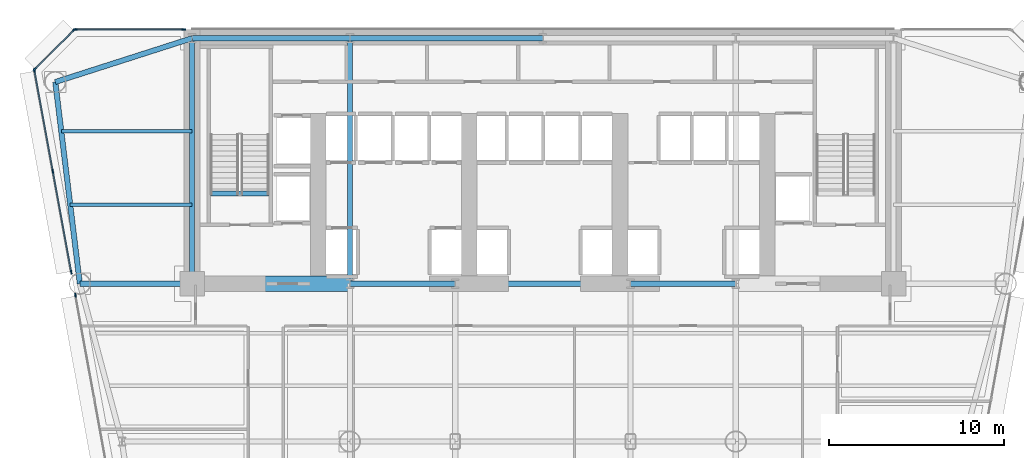
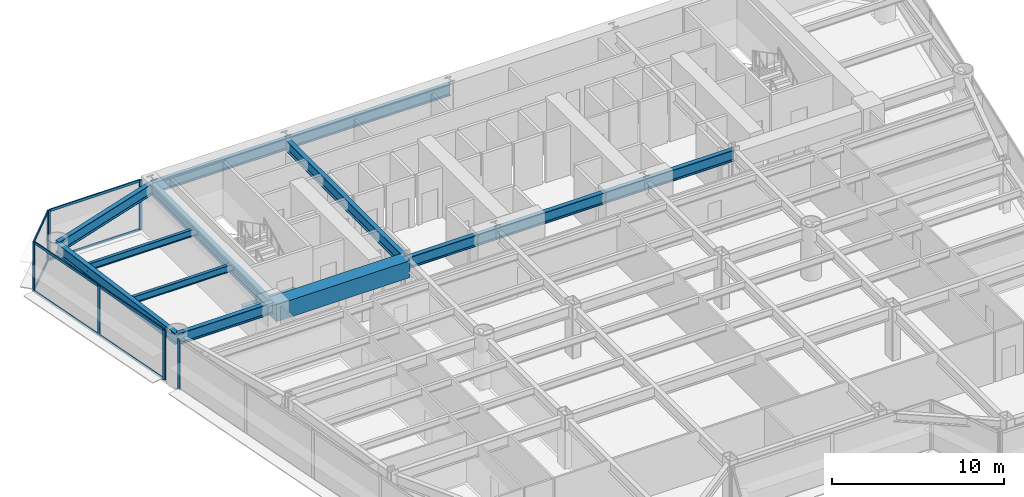
# One storey, part 5 of 14: 16 members, 14 beams, 4 elements without a shape of their own.
"""IFC4 building model written with IfcOpenShell, lengths in metres."""

from ifc_helpers import new_model, si_unit, direction, frame, origin, origin_2d, place, context, subcontext, project, spatial, rectangle, i_section, extrude, source, transform, mapped, material, layer, layer_set, material_profile, profile_set, type_object, element, aggregate, save


model = new_model("IFC4")

# Units and contexts
model_context = context("Model", 3, precision=1e-05, world=origin(), true_north=direction((0.0, 1.0)))
body_context = subcontext(model_context, "Body", "Model", "MODEL_VIEW")
ifc_project = project(units=[si_unit("LENGTHUNIT", "METRE"), si_unit("AREAUNIT", "SQUARE_METRE"), si_unit("VOLUMEUNIT", "CUBIC_METRE"), si_unit("PLANEANGLEUNIT", "RADIAN"), si_unit("MASSUNIT", "GRAM", prefix="KILO")], contexts=[model_context])

# Site, building, storey
site_placement = place(None, origin())
site = spatial("IfcSite", under=ifc_project, at=site_placement, CompositionType="ELEMENT")
building_placement = place(site_placement, origin())
building = spatial("IfcBuilding", under=site, at=building_placement, Name="Vaeldorn Concourse Tower", CompositionType="ELEMENT")
storey_placement = place(building_placement, frame((0.0, 0.0, 79.60009765625)))
storey = spatial("IfcBuildingStorey", under=building, at=storey_placement, Name="L20", CompositionType="ELEMENT", Elevation=79.60009765625)

# Beams
ifc_material_1 = material(Name="Concrete C60/75", Category="concrete")
ifc_material_profile_1 = material_profile(ifc_material_1, rectangle(XDim=0.89990234375, YDim=1.199951171875, at=origin_2d()), Name="RC 900x1200")
ifc_profile_set_1 = profile_set([ifc_material_profile_1], Name="Concrete C60/75")
beam_type_1 = type_object("IfcBeamType", Name="BM-CB-RC900", PredefinedType="BEAM", material=ifc_profile_set_1)
shared_shape_1 = source(origin(), body_context, "Body", "SweptSolid", [
    extrude(rectangle(XDim=0.89990234375, YDim=1.199951171875, at=origin_2d()), origin(), (0.0, 0.0, 1.0), 9.0),
])
beam_1_placement = place(storey_placement, frame((14.0, 36.5, 2.93994140625), z_axis=(1.0, 0.0, 0.0), x_axis=(0.0, 1.0, 0.0)))
element("IfcBeam", 1, at=beam_1_placement, inside=storey, type_object=beam_type_1, Name="Core Coupling Beam L20-1", PredefinedType="BEAM", context=body_context, shape_type="MappedRepresentation", body=[
    mapped(shared_shape_1, transform((0.0, 0.0, 0.0), scale=1.0)),
])
ifc_material_2 = material(Name="Steel S355", Category="steel")
ifc_material_profile_2 = material_profile(ifc_material_2, i_section(OverallWidth=0.300048828125, OverallDepth=0.340087890625, WebThickness=0.011962890625, FlangeThickness=0.021484375, FilletRadius=0.027099609375, at=origin_2d()), Name="HEB 340")
ifc_profile_set_2 = profile_set([ifc_material_profile_2], Name="Steel S355")
beam_type_2 = type_object("IfcBeamType", Name="BM-ST-TRIM", PredefinedType="BEAM", material=ifc_profile_set_2)
shared_shape_2 = source(origin(), body_context, "Body", "SweptSolid", [
    extrude(i_section(OverallWidth=0.300048828125, OverallDepth=0.340087890625, WebThickness=0.011962890625, FlangeThickness=0.021484375, FilletRadius=0.027099609375, at=origin_2d()), origin(), (0.0, 0.0, 1.0), 3.590087890625),
])
beam_2_placement = place(storey_placement, frame((14.929931640625, 41.639892578125, -0.39013671875), z_axis=(1.0, 0.0, 0.0), x_axis=(0.0, 1.0, 0.0)))
element("IfcBeam", 2, at=beam_2_placement, inside=storey, type_object=beam_type_2, Name="Stair Landing Trimmer Beam ST-1 L20", PredefinedType="BEAM", context=body_context, shape_type="MappedRepresentation", body=[
    mapped(shared_shape_2, transform((0.0, 0.0, 0.0), scale=1.0)),
])
ifc_material_profile_3 = material_profile(ifc_material_2, i_section(OverallWidth=0.300048828125, OverallDepth=0.800048828125, WebThickness=0.017578125, FlangeThickness=0.032958984375, FilletRadius=0.030029296875, at=origin_2d()), Name="HEB 800")
ifc_profile_set_3 = profile_set([ifc_material_profile_3], Name="Steel S355")
beam_type_3 = type_object("IfcBeamType", Name="BM-PG-HEB800", PredefinedType="BEAM", material=ifc_profile_set_3)
shared_shape_3 = source(origin(), body_context, "Body", "SweptSolid", [
    extrude(i_section(OverallWidth=0.300048828125, OverallDepth=0.800048828125, WebThickness=0.017578125, FlangeThickness=0.032958984375, FilletRadius=0.030029296875, at=origin_2d()), origin(), (0.0, 0.0, 1.0), 6.0),
])
for number, where, z_axis, x_axis, name in (
    (3, (23.0, 36.5, 3.139892578125), (1.0, 0.0, 0.0), (0.0, 1.0, 0.0), "Beam BM-L20-C-FC2-C-FC3"),
    (4, (39.0, 36.5, 3.139892578125), (1.0, 0.0, 0.0), (0.0, 1.0, 0.0), "Beam BM-L20-C-FC4-C-FC5"),
):
    element("IfcBeam", number, at=place(storey_placement, frame(where, z_axis=z_axis, x_axis=x_axis)), inside=storey, type_object=beam_type_3, Name=name, PredefinedType="BEAM", context=body_context, shape_type="MappedRepresentation", body=[
        mapped(shared_shape_3, transform((0.0, 0.0, 0.0), scale=1.0)),
    ])
shared_shape_4 = source(origin(), body_context, "Body", "SweptSolid", [
    extrude(i_section(OverallWidth=0.300048828125, OverallDepth=0.800048828125, WebThickness=0.017578125, FlangeThickness=0.032958984375, FilletRadius=0.030029296875, at=origin_2d()), origin(), (0.0, 0.0, 1.0), 10.0),
])
beam_3_placement = place(storey_placement, frame((29.0, 36.5, 3.139892578125), z_axis=(1.0, 0.0, 0.0), x_axis=(0.0, 1.0, 0.0)))
element("IfcBeam", 5, at=beam_3_placement, inside=storey, type_object=beam_type_3, Name="Beam BM-L20-C-FC3-C-FC4", PredefinedType="BEAM", context=body_context, shape_type="MappedRepresentation", body=[
    mapped(shared_shape_4, transform((0.0, 0.0, 0.0), scale=1.0)),
])
shared_shape_5 = source(origin(), body_context, "Body", "SweptSolid", [
    extrude(i_section(OverallWidth=0.300048828125, OverallDepth=0.800048828125, WebThickness=0.017578125, FlangeThickness=0.032958984375, FilletRadius=0.030029296875, at=origin_2d()), origin(), (0.0, 0.0, 1.0), 9.0),
])
beam_4_placement = place(storey_placement, frame((14.0, 50.5, 3.139892578125), z_axis=(1.0, 0.0, 0.0), x_axis=(0.0, 1.0, 0.0)))
element("IfcBeam", 6, at=beam_4_placement, inside=storey, type_object=beam_type_3, Name="Beam BM-L20-C-HC1-C-HC2", PredefinedType="BEAM", context=body_context, shape_type="MappedRepresentation", body=[
    mapped(shared_shape_5, transform((0.0, 0.0, 0.0), scale=1.0)),
])
shared_shape_6 = source(origin(), body_context, "Body", "SweptSolid", [
    extrude(i_section(OverallWidth=0.300048828125, OverallDepth=0.800048828125, WebThickness=0.017578125, FlangeThickness=0.032958984375, FilletRadius=0.030029296875, at=origin_2d()), origin(), (0.0, 0.0, 1.0), 11.0),
])
beam_5_placement = place(storey_placement, frame((23.0, 50.5, 3.139892578125), z_axis=(1.0, 0.0, 0.0), x_axis=(0.0, 1.0, 0.0)))
element("IfcBeam", 7, at=beam_5_placement, inside=storey, type_object=beam_type_3, Name="Beam BM-L20-C-HC2-C-HC3", PredefinedType="BEAM", context=body_context, shape_type="MappedRepresentation", body=[
    mapped(shared_shape_6, transform((0.0, 0.0, 0.0), scale=1.0)),
])
shared_shape_7 = source(origin(), body_context, "Body", "SweptSolid", [
    extrude(i_section(OverallWidth=0.300048828125, OverallDepth=0.800048828125, WebThickness=0.017578125, FlangeThickness=0.032958984375, FilletRadius=0.030029296875, at=origin_2d()), origin(), (0.0, 0.0, 1.0), 14.0),
])
for number, where, z_axis, x_axis, name in (
    (8, (14.0, 36.5, 3.139892578125), (0.0, 1.0, 0.0), (-1.0, 0.0, 0.0), "Beam BM-L20-C-FC1-C-HC1"),
    (9, (23.0, 36.5, 3.139892578125), (0.0, 1.0, 0.0), (-1.0, 0.0, 0.0), "Beam BM-L20-C-FC2-C-HC2"),
):
    element("IfcBeam", number, at=place(storey_placement, frame(where, z_axis=z_axis, x_axis=x_axis)), inside=storey, type_object=beam_type_3, Name=name, PredefinedType="BEAM", context=body_context, shape_type="MappedRepresentation", body=[
        mapped(shared_shape_7, transform((0.0, 0.0, 0.0), scale=1.0)),
    ])
shared_shape_8 = source(origin(), body_context, "Body", "SweptSolid", [
    extrude(i_section(OverallWidth=0.300048828125, OverallDepth=0.800048828125, WebThickness=0.017578125, FlangeThickness=0.032958984375, FilletRadius=0.030029296875, at=origin_2d()), origin(), (0.0, 0.0, 1.0), 8.19091796875),
])
beam_6_placement = place(storey_placement, frame((6.199951171875, 48.0, 3.139892578125), z_axis=(0.952282843383, 0.305216949396, 0.0), x_axis=(-0.305216949396, 0.952282843383, 0.0)))
element("IfcBeam", 10, at=beam_6_placement, inside=storey, type_object=beam_type_3, Name="Beam BM-L20-C-NW1-C-HC1", PredefinedType="BEAM", context=body_context, shape_type="MappedRepresentation", body=[
    mapped(shared_shape_8, transform((0.0, 0.0, 0.0), scale=1.0)),
])
shared_shape_9 = source(origin(), body_context, "Body", "SweptSolid", [
    extrude(i_section(OverallWidth=0.300048828125, OverallDepth=0.800048828125, WebThickness=0.017578125, FlangeThickness=0.032958984375, FilletRadius=0.030029296875, at=origin_2d()), origin(), (0.0, 0.0, 1.0), 11.5849609375),
])
beam_7_placement = place(storey_placement, frame((6.199951171875, 48.0, 3.139892578125), z_axis=(0.120859382899, -0.992669637677, 0.0), x_axis=(0.992669637677, 0.120859382899, 0.0)))
element("IfcBeam", 11, at=beam_7_placement, inside=storey, type_object=beam_type_3, Name="Beam BM-L20-C-NW1-C-NW2", PredefinedType="BEAM", context=body_context, shape_type="MappedRepresentation", body=[
    mapped(shared_shape_9, transform((0.0, 0.0, 0.0), scale=1.0)),
])
shared_shape_10 = source(origin(), body_context, "Body", "SweptSolid", [
    extrude(i_section(OverallWidth=0.300048828125, OverallDepth=0.800048828125, WebThickness=0.017578125, FlangeThickness=0.032958984375, FilletRadius=0.030029296875, at=origin_2d()), origin(), (0.0, 0.0, 1.0), 6.39990234375),
])
beam_8_placement = place(storey_placement, frame((7.60009765625, 36.5, 3.139892578125), z_axis=(1.0, 0.0, 0.0), x_axis=(0.0, 1.0, 0.0)))
element("IfcBeam", 12, at=beam_8_placement, inside=storey, type_object=beam_type_3, Name="Beam BM-L20-C-NW2-C-FC1", PredefinedType="BEAM", context=body_context, shape_type="MappedRepresentation", body=[
    mapped(shared_shape_10, transform((0.0, 0.0, 0.0), scale=1.0)),
])
ifc_material_profile_4 = material_profile(ifc_material_2, i_section(OverallWidth=0.199951171875, OverallDepth=0.5, WebThickness=0.01025390625, FlangeThickness=0.01611328125, FilletRadius=0.02099609375, at=origin_2d()), Name="IPE 500")
ifc_profile_set_4 = profile_set([ifc_material_profile_4], Name="Steel S355")
beam_type_4 = type_object("IfcBeamType", Name="BM-JS-IPE500", PredefinedType="JOIST", material=ifc_profile_set_4)
shared_shape_11 = source(origin(), body_context, "Body", "SweptSolid", [
    extrude(i_section(OverallWidth=0.199951171875, OverallDepth=0.5, WebThickness=0.01025390625, FlangeThickness=0.01611328125, FilletRadius=0.02099609375, at=origin_2d()), origin(), (0.0, 0.0, 1.0), 6.94775390625),
])
beam_9_placement = place(storey_placement, frame((7.05224609375, 41.0, 3.289794921875), z_axis=(1.0, 0.0, 0.0), x_axis=(0.0, 1.0, 0.0)))
element("IfcBeam", 13, at=beam_9_placement, inside=storey, type_object=beam_type_4, Name="Beam JS-L20-NW-410", PredefinedType="JOIST", context=body_context, shape_type="MappedRepresentation", body=[
    mapped(shared_shape_11, transform((0.0, 0.0, 0.0), scale=1.0)),
])
shared_shape_12 = source(origin(), body_context, "Body", "SweptSolid", [
    extrude(i_section(OverallWidth=0.199951171875, OverallDepth=0.5, WebThickness=0.01025390625, FlangeThickness=0.01611328125, FilletRadius=0.02099609375, at=origin_2d()), origin(), (0.0, 0.0, 1.0), 7.458984375),
])
beam_10_placement = place(storey_placement, frame((6.541015625, 45.199951171875, 3.289794921875), z_axis=(1.0, 0.0, 0.0), x_axis=(0.0, 1.0, 0.0)))
element("IfcBeam", 14, at=beam_10_placement, inside=storey, type_object=beam_type_4, Name="Beam JS-L20-NW-452", PredefinedType="JOIST", context=body_context, shape_type="MappedRepresentation", body=[
    mapped(shared_shape_12, transform((0.0, 0.0, 0.0), scale=1.0)),
])

# Curtain wall, members
ifc_material_3 = material(Name="Anodised Bronze Aluminium", Category="aluminium")
ifc_layer = layer(ifc_material_3, 0.219970703125)
ifc_layer_set = layer_set([ifc_layer], Name="Anodised Bronze Aluminium")
curtain_wall_type = type_object("IfcCurtainWallType", Name="CW-SYS-01", PredefinedType="NOTDEFINED", material=ifc_layer_set)
curtain_wall_1_placement = place(storey_placement, origin())
curtain_wall_1 = element("IfcCurtainWall", 15, at=curtain_wall_1_placement, inside=storey, type_object=curtain_wall_type, Name="Unitised Curtain Wall CW-L20-E10-1", PredefinedType="NOTDEFINED")
ifc_material_profile_5 = material_profile(ifc_material_3, rectangle(XDim=0.074951171875, YDim=0.179931640625, at=origin_2d()), Name="CWT 75x180")
ifc_profile_set_5 = profile_set([ifc_material_profile_5], Name="Anodised Bronze Aluminium")
member_type_1 = type_object("IfcMemberType", Name="CWT-BRONZE-180", PredefinedType="USERDEFINED", material=ifc_profile_set_5)
shared_shape_13 = source(origin(), body_context, "Body", "SweptSolid", [
    extrude(rectangle(XDim=0.074951171875, YDim=0.179931640625, at=origin_2d()), origin(), (0.0, 0.0, 1.0), 3.10302734375),
])
member_1_placement = place(storey_placement, frame((7.2470703125, 50.947021484375, 0.037353515625), z_axis=(-0.707106781187, -0.707106781187, 0.0), x_axis=(0.707106781187, -0.707106781187, 0.0)))
member_1 = element("IfcMember", 16, at=member_1_placement, type_object=member_type_1, Name="CW-01 transom 1.1", ObjectType="TRANSOM", PredefinedType="USERDEFINED", context=body_context, shape_type="MappedRepresentation", body=[
    mapped(shared_shape_13, transform((0.0, 0.0, 0.0), scale=1.0)),
])
member_2_placement = place(storey_placement, frame((7.2470703125, 50.947021484375, 3.50244140625), z_axis=(-0.707106781187, -0.707106781187, 0.0), x_axis=(0.707106781187, -0.707106781187, 0.0)))
member_2 = element("IfcMember", 17, at=member_2_placement, type_object=member_type_1, Name="CW-01 transom 1.2", ObjectType="TRANSOM", PredefinedType="USERDEFINED", context=body_context, shape_type="MappedRepresentation", body=[
    mapped(shared_shape_13, transform((0.0, 0.0, 0.0), scale=1.0)),
])

curtain_wall_2_placement = place(storey_placement, origin())
curtain_wall_2 = element("IfcCurtainWall", 18, at=curtain_wall_2_placement, inside=storey, type_object=curtain_wall_type, Name="Unitised Curtain Wall CW-L20-E09-2", PredefinedType="NOTDEFINED")
shared_shape_14 = source(origin(), body_context, "Body", "SweptSolid", [
    extrude(rectangle(XDim=0.074951171875, YDim=0.179931640625, at=origin_2d()), origin(), (0.0, 0.0, 1.0), 6.10498046875),
])
member_3_placement = place(storey_placement, frame((13.47998046875, 51.0, 0.037353515625), z_axis=(-1.0, 0.0, 0.0), x_axis=(0.0, -1.0, 0.0)))
member_3 = element("IfcMember", 19, at=member_3_placement, type_object=member_type_1, Name="CW-01 transom 1.1", ObjectType="TRANSOM", PredefinedType="USERDEFINED", context=body_context, shape_type="MappedRepresentation", body=[
    mapped(shared_shape_14, transform((0.0, 0.0, 0.0), scale=1.0)),
])
member_4_placement = place(storey_placement, frame((13.47998046875, 51.0, 3.50244140625), z_axis=(-1.0, 0.0, 0.0), x_axis=(0.0, -1.0, 0.0)))
member_4 = element("IfcMember", 20, at=member_4_placement, type_object=member_type_1, Name="CW-01 transom 1.2", ObjectType="TRANSOM", PredefinedType="USERDEFINED", context=body_context, shape_type="MappedRepresentation", body=[
    mapped(shared_shape_14, transform((0.0, 0.0, 0.0), scale=1.0)),
])

curtain_wall_3_placement = place(storey_placement, origin())
curtain_wall_3 = element("IfcCurtainWall", 21, at=curtain_wall_3_placement, inside=storey, type_object=curtain_wall_type, Name="Unitised Curtain Wall CW-L20-E11-1", PredefinedType="NOTDEFINED")
shared_shape_15 = source(origin(), body_context, "Body", "SweptSolid", [
    extrude(rectangle(XDim=0.074951171875, YDim=0.179931640625, at=origin_2d()), origin(), (0.0, 0.0, 1.0), 5.773681640625),
])
member_5_placement = place(storey_placement, frame((6.0654296875, 42.872802734375, 0.037353515625), z_axis=(0.179841690319, -0.983695565926, 0.0), x_axis=(0.983695565926, 0.179841690319, 0.0)))
member_5 = element("IfcMember", 22, at=member_5_placement, type_object=member_type_1, Name="CW-01 transom 2.1", ObjectType="TRANSOM", PredefinedType="USERDEFINED", context=body_context, shape_type="MappedRepresentation", body=[
    mapped(shared_shape_15, transform((0.0, 0.0, 0.0), scale=1.0)),
])
member_6_placement = place(storey_placement, frame((6.0654296875, 42.872802734375, 3.50244140625), z_axis=(0.179841690319, -0.983695565926, 0.0), x_axis=(0.983695565926, 0.179841690319, 0.0)))
member_6 = element("IfcMember", 23, at=member_6_placement, type_object=member_type_1, Name="CW-01 transom 2.2", ObjectType="TRANSOM", PredefinedType="USERDEFINED", context=body_context, shape_type="MappedRepresentation", body=[
    mapped(shared_shape_15, transform((0.0, 0.0, 0.0), scale=1.0)),
])

# Member
ifc_material_profile_6 = material_profile(ifc_material_3, rectangle(XDim=0.074951171875, YDim=0.219970703125, at=origin_2d()), Name="CWM 75x220")
ifc_profile_set_6 = profile_set([ifc_material_profile_6], Name="Anodised Bronze Aluminium")
member_type_2 = type_object("IfcMemberType", Name="CWM-BRONZE-220", PredefinedType="MULLION", material=ifc_profile_set_6)
shared_shape_16 = source(origin(), body_context, "Body", "SweptSolid", [
    extrude(rectangle(XDim=0.074951171875, YDim=0.219970703125, at=origin_2d()), origin(), (0.0, 0.0, 1.0), 3.539794921875),
])
member_7_placement = place(storey_placement, frame((13.517578125, 51.0, 0.0), z_axis=(0.0, 0.0, 1.0), x_axis=(0.0, -1.0, 0.0)))
member_7 = element("IfcMember", 24, at=member_7_placement, type_object=member_type_2, Name="CW-01 mullion 1", PredefinedType="MULLION", context=body_context, shape_type="MappedRepresentation", body=[
    mapped(shared_shape_16, transform((0.0, 0.0, 0.0), scale=1.0)),
])

member_8_placement = place(storey_placement, frame((7.33740234375, 51.0, 0.0), z_axis=(0.0, 0.0, 1.0), x_axis=(0.0, -1.0, 0.0)))
member_8 = element("IfcMember", 25, at=member_8_placement, type_object=member_type_2, Name="CW-01 mullion 2", PredefinedType="MULLION", context=body_context, shape_type="MappedRepresentation", body=[
    mapped(shared_shape_16, transform((0.0, 0.0, 0.0), scale=1.0)),
])

aggregate(curtain_wall_2, [member_7, member_8, member_3, member_4])

member_9_placement = place(storey_placement, frame((7.2734375, 50.973388671875, 0.0), z_axis=(0.0, 0.0, 1.0), x_axis=(0.707106781187, -0.707106781187, 0.0)))
member_9 = element("IfcMember", 26, at=member_9_placement, type_object=member_type_2, Name="CW-01 mullion 1", PredefinedType="MULLION", context=body_context, shape_type="MappedRepresentation", body=[
    mapped(shared_shape_16, transform((0.0, 0.0, 0.0), scale=1.0)),
])

member_10_placement = place(storey_placement, frame((5.026611328125, 48.7265625, 0.0), z_axis=(0.0, 0.0, 1.0), x_axis=(0.707106781187, -0.707106781187, 0.0)))
member_10 = element("IfcMember", 27, at=member_10_placement, type_object=member_type_2, Name="CW-01 mullion 2", PredefinedType="MULLION", context=body_context, shape_type="MappedRepresentation", body=[
    mapped(shared_shape_16, transform((0.0, 0.0, 0.0), scale=1.0)),
])

aggregate(curtain_wall_1, [member_9, member_10, member_1, member_2])

member_11_placement = place(storey_placement, frame((5.0068359375, 48.6630859375, 0.0), z_axis=(0.0, 0.0, 1.0), x_axis=(0.983695206048, 0.179843658764, 0.0)))
member_11 = element("IfcMember", 28, at=member_11_placement, type_object=member_type_2, Name="CW-01 mullion 1", PredefinedType="MULLION", context=body_context, shape_type="MappedRepresentation", body=[
    mapped(shared_shape_16, transform((0.0, 0.0, 0.0), scale=1.0)),
])

member_12_placement = place(storey_placement, frame((6.05859375, 42.90966796875, 0.0), z_axis=(0.0, 0.0, 1.0), x_axis=(0.983695206048, 0.179843658764, 0.0)))
member_12 = element("IfcMember", 29, at=member_12_placement, type_object=member_type_2, Name="CW-01 mullion 2", PredefinedType="MULLION", context=body_context, shape_type="MappedRepresentation", body=[
    mapped(shared_shape_16, transform((0.0, 0.0, 0.0), scale=1.0)),
])

member_13_placement = place(storey_placement, frame((7.1103515625, 37.156494140625, 0.0), z_axis=(0.0, 0.0, 1.0), x_axis=(0.983695206048, 0.179843658764, 0.0)))
member_13 = element("IfcMember", 30, at=member_13_placement, type_object=member_type_2, Name="CW-01 mullion 3", PredefinedType="MULLION", context=body_context, shape_type="MappedRepresentation", body=[
    mapped(shared_shape_16, transform((0.0, 0.0, 0.0), scale=1.0)),
])

# Curtain wall, member
curtain_wall_4_placement = place(storey_placement, origin())
curtain_wall_4 = element("IfcCurtainWall", 31, at=curtain_wall_4_placement, inside=storey, type_object=curtain_wall_type, Name="Unitised Curtain Wall CW-L20-E11-2", PredefinedType="NOTDEFINED")
member_14_placement = place(storey_placement, frame((7.350341796875, 35.843505859375, 0.0), z_axis=(0.0, 0.0, 1.0), x_axis=(0.983694621772, 0.179846854566, 0.0)))
member_14 = element("IfcMember", 32, at=member_14_placement, type_object=member_type_2, Name="CW-01 mullion 1", PredefinedType="MULLION", context=body_context, shape_type="MappedRepresentation", body=[
    mapped(shared_shape_16, transform((0.0, 0.0, 0.0), scale=1.0)),
])
aggregate(curtain_wall_4, [member_14])

# Member
shared_shape_17 = source(origin(), body_context, "Body", "SweptSolid", [
    extrude(rectangle(XDim=0.074951171875, YDim=0.179931640625, at=origin_2d()), origin(), (0.0, 0.0, 1.0), 5.77392578125),
])
member_15_placement = place(storey_placement, frame((5.013427734375, 48.626220703125, 0.037353515625), z_axis=(0.179834209858, -0.983696933494, 0.0), x_axis=(0.983696933494, 0.179834209858, 0.0)))
member_15 = element("IfcMember", 33, at=member_15_placement, type_object=member_type_1, Name="CW-01 transom 1.1", ObjectType="TRANSOM", PredefinedType="USERDEFINED", context=body_context, shape_type="MappedRepresentation", body=[
    mapped(shared_shape_17, transform((0.0, 0.0, 0.0), scale=1.0)),
])

member_16_placement = place(storey_placement, frame((5.013427734375, 48.626220703125, 3.50244140625), z_axis=(0.179834209858, -0.983696933494, 0.0), x_axis=(0.983696933494, 0.179834209858, 0.0)))
member_16 = element("IfcMember", 34, at=member_16_placement, type_object=member_type_1, Name="CW-01 transom 1.2", ObjectType="TRANSOM", PredefinedType="USERDEFINED", context=body_context, shape_type="MappedRepresentation", body=[
    mapped(shared_shape_17, transform((0.0, 0.0, 0.0), scale=1.0)),
])

aggregate(curtain_wall_3, [member_11, member_12, member_13, member_15, member_16, member_5, member_6])

save(model, "model.ifc")
